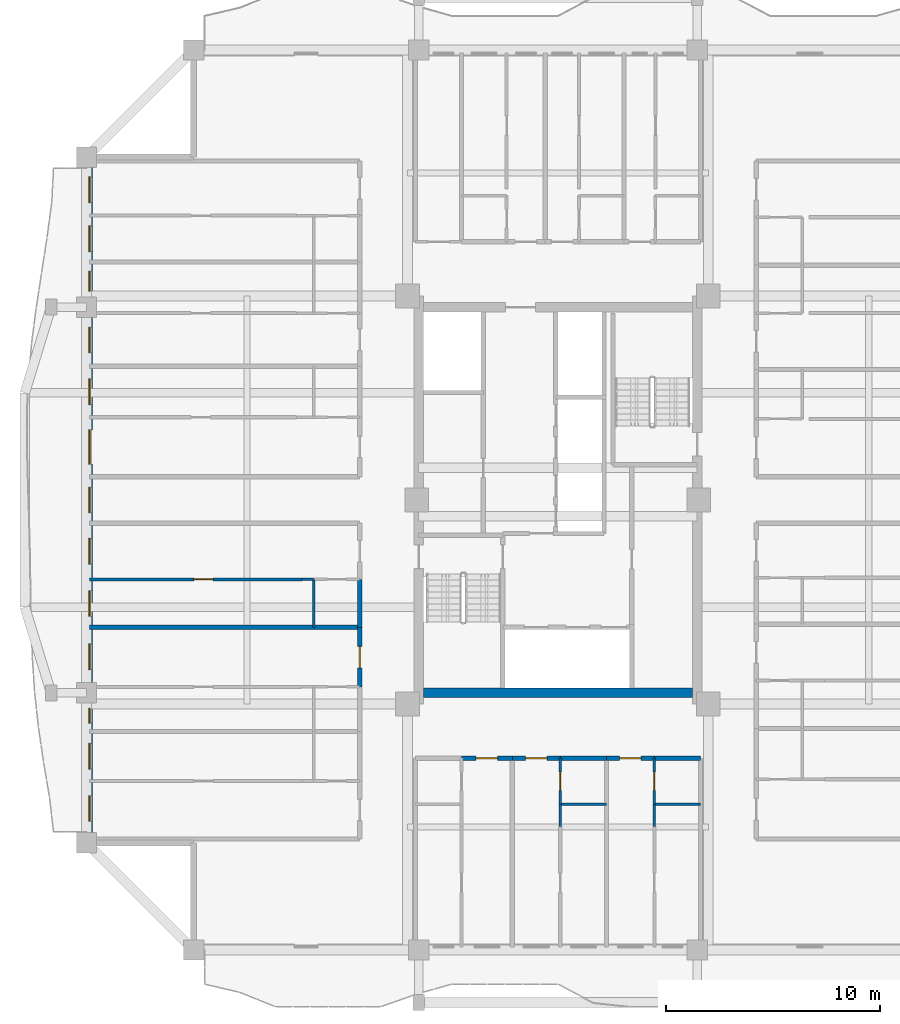
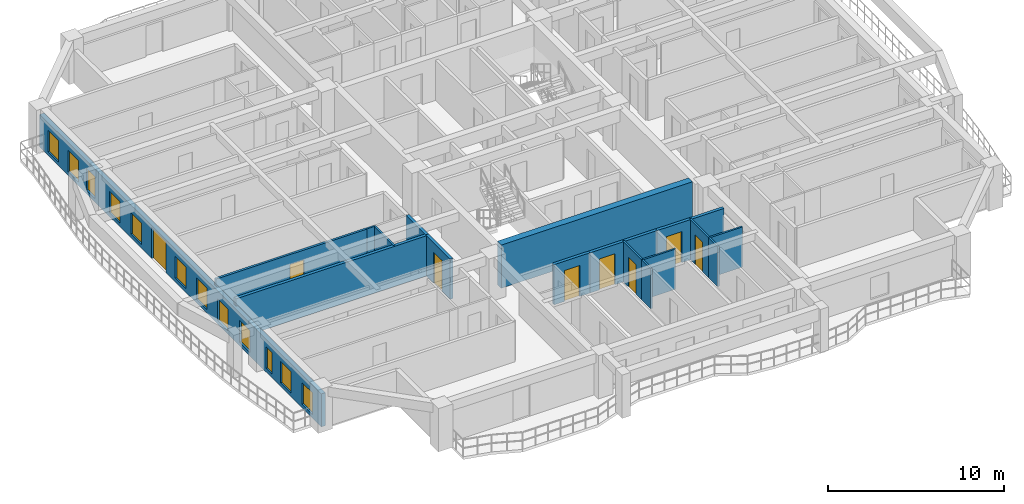
# One storey, part 3 of 15: 19 walls, 12 windows, 8 doors, 20 openings.
"""IFC4 building model written with IfcOpenShell, lengths in metres."""

from ifc_helpers import new_model, si_unit, direction, frame, frame_2d, origin, place, context, subcontext, project, spatial, rectangle, extrude, source, transform, mapped, material, layer, layer_set, type_object, element, fill, save


model = new_model("IFC4")

# Units and contexts
model_context = context("Model", 3, precision=1e-05, world=origin(), true_north=direction((0.0, 1.0)))
body_context = subcontext(model_context, "Body", "Model", "MODEL_VIEW")
ifc_project = project(units=[si_unit("LENGTHUNIT", "METRE"), si_unit("AREAUNIT", "SQUARE_METRE"), si_unit("VOLUMEUNIT", "CUBIC_METRE"), si_unit("PLANEANGLEUNIT", "RADIAN"), si_unit("MASSUNIT", "GRAM", prefix="KILO")], contexts=[model_context])

# Site, building, storey
site_placement = place(None, origin())
site = spatial("IfcSite", under=ifc_project, at=site_placement, CompositionType="ELEMENT")
building_placement = place(site_placement, origin())
building = spatial("IfcBuilding", under=site, at=building_placement, Name="Saelheon Loggia Tower", CompositionType="ELEMENT")
storey_placement = place(building_placement, frame((0.0, 0.0, 163.0)))
storey = spatial("IfcBuildingStorey", under=building, at=storey_placement, Name="L51", CompositionType="ELEMENT", Elevation=163.0)

# Wall
ifc_material_1 = material(Name="Concrete C45/55", Category="concrete")
ifc_layer_1 = layer(ifc_material_1, 0.449951171875)
ifc_layer_set_1 = layer_set([ifc_layer_1], Name="Concrete C45/55")
wall_type_1 = type_object("IfcWallType", Name="Wall_CoreShear_450", PredefinedType="SHEAR", material=ifc_layer_set_1)
wall_1_placement = place(storey_placement, frame((31.72509765625, 18.0, 0.0), z_axis=(0.0, 0.0, 1.0), x_axis=(1.0, 0.0, 0.0)))
element("IfcWall", 1, at=wall_1_placement, inside=storey, type_object=wall_type_1, Name="L51 Core Shear Wall South", PredefinedType="SHEAR", context=body_context, shape_type="SweptSolid", body=[
    extrude(rectangle(XDim=12.5498046875, YDim=0.449951171875, at=frame_2d((6.27490234375, 0.0))), origin(), (0.0, 0.0, 1.0), 3.0),
])

# Wall, openings, windows, door
ifc_material_2 = material(Name="Architectural Precast Concrete C40/50", Category="concrete")
ifc_layer_2 = layer(ifc_material_2, 0.280029296875)
ifc_layer_set_2 = layer_set([ifc_layer_2], Name="Architectural Precast Concrete C40/50")
wall_type_2 = type_object("IfcWallType", Name="Wall_Ext_Loggia_280", PredefinedType="SOLIDWALL", material=ifc_layer_set_2)
wall_2_placement = place(storey_placement, frame((16.139892578125, 11.0, 0.0), z_axis=(0.0, 0.0, 1.0), x_axis=(0.0, 1.0, 0.0)))
wall_2 = element("IfcWall", 2, at=wall_2_placement, inside=storey, type_object=wall_type_2, Name="L51 West Loggia Inner Wall", PredefinedType="SOLIDWALL", context=body_context, shape_type="SweptSolid", body=[
    extrude(rectangle(XDim=32.0, YDim=0.280029296875, at=frame_2d((16.0, 0.0))), origin(), (0.0, 0.0, 1.0), 2.280029296875),
])
opening_1_placement = place(wall_2_placement, frame((1.000732421875, 0.0, 0.25)))
opening_1 = element("IfcOpeningElement", 3, at=opening_1_placement, cuts=wall_2, Name="Opening WN-03", PredefinedType="OPENING", context=body_context, shape_type="SweptSolid", body=[
    extrude(rectangle(XDim=1.199951171875, YDim=1.5, at=frame_2d((0.60009765625, 0.75))), frame((0.0, 0.152099609375, 0.0), z_axis=(0.0, -1.0, 0.0), x_axis=(1.0, 0.0, 0.0)), (0.0, 0.0, 1.0), 0.303955078125),
])
opening_2_placement = place(wall_2_placement, frame((3.43896484375, 0.0, 0.25)))
opening_2 = element("IfcOpeningElement", 4, at=opening_2_placement, cuts=wall_2, Name="Opening WN-03", PredefinedType="OPENING", context=body_context, shape_type="SweptSolid", body=[
    extrude(rectangle(XDim=1.199951171875, YDim=1.5, at=frame_2d((0.60009765625, 0.75))), frame((0.0, 0.152099609375, 0.0), z_axis=(0.0, -1.0, 0.0), x_axis=(1.0, 0.0, 0.0)), (0.0, 0.0, 1.0), 0.303955078125),
])
opening_3_placement = place(wall_2_placement, frame((5.58837890625, 0.0, 0.25)))
opening_3 = element("IfcOpeningElement", 5, at=opening_3_placement, cuts=wall_2, Name="Opening WN-06", PredefinedType="OPENING", context=body_context, shape_type="SweptSolid", body=[
    extrude(rectangle(XDim=0.699951171875, YDim=1.5, at=frame_2d((0.35009765625, 0.75))), frame((0.0, 0.152099609375, 0.0), z_axis=(0.0, -1.0, 0.0), x_axis=(1.0, 0.0, 0.0)), (0.0, 0.0, 1.0), 0.303955078125),
])
opening_4_placement = place(wall_2_placement, frame((8.08544921875, 0.0, 0.25)))
opening_4 = element("IfcOpeningElement", 6, at=opening_4_placement, cuts=wall_2, Name="Opening WN-03", PredefinedType="OPENING", context=body_context, shape_type="SweptSolid", body=[
    extrude(rectangle(XDim=1.199951171875, YDim=1.5, at=frame_2d((0.60009765625, 0.75))), frame((0.0, 0.152099609375, 0.0), z_axis=(0.0, -1.0, 0.0), x_axis=(1.0, 0.0, 0.0)), (0.0, 0.0, 1.0), 0.303955078125),
])
opening_5_placement = place(wall_2_placement, frame((10.57470703125, 0.0, 0.25)))
opening_5 = element("IfcOpeningElement", 7, at=opening_5_placement, cuts=wall_2, Name="Opening WN-03", PredefinedType="OPENING", context=body_context, shape_type="SweptSolid", body=[
    extrude(rectangle(XDim=1.199951171875, YDim=1.5, at=frame_2d((0.60009765625, 0.75))), frame((0.0, 0.152099609375, 0.0), z_axis=(0.0, -1.0, 0.0), x_axis=(1.0, 0.0, 0.0)), (0.0, 0.0, 1.0), 0.303955078125),
])
opening_6_placement = place(wall_2_placement, frame((13.006591796875, 0.0, 0.25)))
opening_6 = element("IfcOpeningElement", 8, at=opening_6_placement, cuts=wall_2, Name="Opening WN-03", PredefinedType="OPENING", context=body_context, shape_type="SweptSolid", body=[
    extrude(rectangle(XDim=1.199951171875, YDim=1.5, at=frame_2d((0.60009765625, 0.75))), frame((0.0, 0.152099609375, 0.0), z_axis=(0.0, -1.0, 0.0), x_axis=(1.0, 0.0, 0.0)), (0.0, 0.0, 1.0), 0.303955078125),
])
opening_7_placement = place(wall_2_placement, frame((15.39990234375, 0.0, 0.25)))
opening_7 = element("IfcOpeningElement", 9, at=opening_7_placement, cuts=wall_2, Name="Opening WN-03", PredefinedType="OPENING", context=body_context, shape_type="SweptSolid", body=[
    extrude(rectangle(XDim=1.199951171875, YDim=1.5, at=frame_2d((0.60009765625, 0.75))), frame((0.0, 0.152099609375, 0.0), z_axis=(0.0, -1.0, 0.0), x_axis=(1.0, 0.0, 0.0)), (0.0, 0.0, 1.0), 0.303955078125),
])
opening_8_placement = place(wall_2_placement, frame((17.6728515625, 0.0, 0.0)))
opening_8 = element("IfcOpeningElement", 10, at=opening_8_placement, cuts=wall_2, Name="Opening DLG-1", PredefinedType="OPENING", context=body_context, shape_type="SweptSolid", body=[
    extrude(rectangle(XDim=1.60009765625, YDim=2.14990234375, at=frame_2d((0.800048828125, 1.074951171875))), frame((0.0, 0.152099609375, 0.0), z_axis=(0.0, -1.0, 0.0), x_axis=(1.0, 0.0, 0.0)), (0.0, 0.0, 1.0), 0.303955078125),
])
opening_9_placement = place(wall_2_placement, frame((20.452392578125, 0.0, 0.25)))
opening_9 = element("IfcOpeningElement", 11, at=opening_9_placement, cuts=wall_2, Name="Opening WN-03", PredefinedType="OPENING", context=body_context, shape_type="SweptSolid", body=[
    extrude(rectangle(XDim=1.199951171875, YDim=1.5, at=frame_2d((0.60009765625, 0.75))), frame((0.0, 0.152099609375, 0.0), z_axis=(0.0, -1.0, 0.0), x_axis=(1.0, 0.0, 0.0)), (0.0, 0.0, 1.0), 0.303955078125),
])
opening_10_placement = place(wall_2_placement, frame((22.862060546875, 0.0, 0.25)))
opening_10 = element("IfcOpeningElement", 12, at=opening_10_placement, cuts=wall_2, Name="Opening WN-03", PredefinedType="OPENING", context=body_context, shape_type="SweptSolid", body=[
    extrude(rectangle(XDim=1.199951171875, YDim=1.5, at=frame_2d((0.60009765625, 0.75))), frame((0.0, 0.152099609375, 0.0), z_axis=(0.0, -1.0, 0.0), x_axis=(1.0, 0.0, 0.0)), (0.0, 0.0, 1.0), 0.303955078125),
])
opening_11_placement = place(wall_2_placement, frame((25.734130859375, 0.0, 0.25)))
opening_11 = element("IfcOpeningElement", 13, at=opening_11_placement, cuts=wall_2, Name="Opening WN-04", PredefinedType="OPENING", context=body_context, shape_type="SweptSolid", body=[
    extrude(rectangle(XDim=0.949951171875, YDim=1.5, at=frame_2d((0.47509765625, 0.75))), frame((0.0, 0.152099609375, 0.0), z_axis=(0.0, -1.0, 0.0), x_axis=(1.0, 0.0, 0.0)), (0.0, 0.0, 1.0), 0.303955078125),
])
opening_12_placement = place(wall_2_placement, frame((27.587890625, 0.0, 0.25)))
opening_12 = element("IfcOpeningElement", 14, at=opening_12_placement, cuts=wall_2, Name="Opening WN-03", PredefinedType="OPENING", context=body_context, shape_type="SweptSolid", body=[
    extrude(rectangle(XDim=1.199951171875, YDim=1.5, at=frame_2d((0.60009765625, 0.75))), frame((0.0, 0.152099609375, 0.0), z_axis=(0.0, -1.0, 0.0), x_axis=(1.0, 0.0, 0.0)), (0.0, 0.0, 1.0), 0.303955078125),
])
opening_13_placement = place(wall_2_placement, frame((29.87890625, 0.0, 0.25)))
opening_13 = element("IfcOpeningElement", 15, at=opening_13_placement, cuts=wall_2, Name="Opening WN-03", PredefinedType="OPENING", context=body_context, shape_type="SweptSolid", body=[
    extrude(rectangle(XDim=1.199951171875, YDim=1.5, at=frame_2d((0.60009765625, 0.75))), frame((0.0, 0.152099609375, 0.0), z_axis=(0.0, -1.0, 0.0), x_axis=(1.0, 0.0, 0.0)), (0.0, 0.0, 1.0), 0.303955078125),
])
ifc_material_3 = material(Name="Thermal-Break Aluminium and Triple Low-E Glass", Category="aluminium")
window_type_1 = type_object("IfcWindowType", Name="Win_Slot_700x1500", PartitioningType="SINGLE_PANEL", PredefinedType="WINDOW", material=ifc_material_3)
shared_shape_1 = source(origin(), body_context, "Body", "SweptSolid", [
    extrude(rectangle(XDim=0.699951171875, YDim=1.5, at=frame_2d((0.35009765625, 0.75))), frame((0.0, 0.030029296875, 0.0), z_axis=(0.0, -1.0, 0.0), x_axis=(1.0, 0.0, 0.0)), (0.0, 0.0, 1.0), 0.06005859375),
])
window_1_placement = place(opening_3_placement, origin())
window_1 = element("IfcWindow", 16, at=window_1_placement, inside=storey, type_object=window_type_1, Name="L51 W Dwelling Window 3", OverallHeight=1.5, OverallWidth=0.699951171875, PartitioningType="SINGLE_PANEL", PredefinedType="WINDOW", context=body_context, shape_type="MappedRepresentation", body=[
    mapped(shared_shape_1, transform((0.0, 0.0, 0.0), scale=1.0)),
])
fill(opening_3, window_1)
window_type_2 = type_object("IfcWindowType", Name="Win_Bedroom_1200x1500", PartitioningType="SINGLE_PANEL", PredefinedType="WINDOW", material=ifc_material_3)
shared_shape_2 = source(origin(), body_context, "Body", "SweptSolid", [
    extrude(rectangle(XDim=1.199951171875, YDim=1.5, at=frame_2d((0.60009765625, 0.75))), frame((0.0, 0.030029296875, 0.0), z_axis=(0.0, -1.0, 0.0), x_axis=(1.0, 0.0, 0.0)), (0.0, 0.0, 1.0), 0.06005859375),
])
window_2_placement = place(opening_1_placement, origin())
window_2 = element("IfcWindow", 17, at=window_2_placement, inside=storey, type_object=window_type_2, Name="L51 W Dwelling Window 1", OverallHeight=1.5, OverallWidth=1.199951171875, PartitioningType="SINGLE_PANEL", PredefinedType="WINDOW", context=body_context, shape_type="MappedRepresentation", body=[
    mapped(shared_shape_2, transform((0.0, 0.0, 0.0), scale=1.0)),
])
fill(opening_1, window_2)
window_3_placement = place(opening_2_placement, origin())
window_3 = element("IfcWindow", 18, at=window_3_placement, inside=storey, type_object=window_type_2, Name="L51 W Dwelling Window 2", OverallHeight=1.5, OverallWidth=1.199951171875, PartitioningType="SINGLE_PANEL", PredefinedType="WINDOW", context=body_context, shape_type="MappedRepresentation", body=[
    mapped(shared_shape_2, transform((0.0, 0.0, 0.0), scale=1.0)),
])
fill(opening_2, window_3)
window_4_placement = place(opening_4_placement, origin())
window_4 = element("IfcWindow", 19, at=window_4_placement, inside=storey, type_object=window_type_2, Name="L51 W Dwelling Window 4", OverallHeight=1.5, OverallWidth=1.199951171875, PartitioningType="SINGLE_PANEL", PredefinedType="WINDOW", context=body_context, shape_type="MappedRepresentation", body=[
    mapped(shared_shape_2, transform((0.0, 0.0, 0.0), scale=1.0)),
])
fill(opening_4, window_4)
window_5_placement = place(opening_5_placement, origin())
window_5 = element("IfcWindow", 20, at=window_5_placement, inside=storey, type_object=window_type_2, Name="L51 W Dwelling Window 5", OverallHeight=1.5, OverallWidth=1.199951171875, PartitioningType="SINGLE_PANEL", PredefinedType="WINDOW", context=body_context, shape_type="MappedRepresentation", body=[
    mapped(shared_shape_2, transform((0.0, 0.0, 0.0), scale=1.0)),
])
fill(opening_5, window_5)
window_6_placement = place(opening_6_placement, origin())
window_6 = element("IfcWindow", 21, at=window_6_placement, inside=storey, type_object=window_type_2, Name="L51 W Dwelling Window 6", OverallHeight=1.5, OverallWidth=1.199951171875, PartitioningType="SINGLE_PANEL", PredefinedType="WINDOW", context=body_context, shape_type="MappedRepresentation", body=[
    mapped(shared_shape_2, transform((0.0, 0.0, 0.0), scale=1.0)),
])
fill(opening_6, window_6)
window_7_placement = place(opening_7_placement, origin())
window_7 = element("IfcWindow", 22, at=window_7_placement, inside=storey, type_object=window_type_2, Name="L51 W Dwelling Window 7", OverallHeight=1.5, OverallWidth=1.199951171875, PartitioningType="SINGLE_PANEL", PredefinedType="WINDOW", context=body_context, shape_type="MappedRepresentation", body=[
    mapped(shared_shape_2, transform((0.0, 0.0, 0.0), scale=1.0)),
])
fill(opening_7, window_7)
window_8_placement = place(opening_9_placement, origin())
window_8 = element("IfcWindow", 23, at=window_8_placement, inside=storey, type_object=window_type_2, Name="L51 W Dwelling Window 9", OverallHeight=1.5, OverallWidth=1.199951171875, PartitioningType="SINGLE_PANEL", PredefinedType="WINDOW", context=body_context, shape_type="MappedRepresentation", body=[
    mapped(shared_shape_2, transform((0.0, 0.0, 0.0), scale=1.0)),
])
fill(opening_9, window_8)
window_9_placement = place(opening_10_placement, origin())
window_9 = element("IfcWindow", 24, at=window_9_placement, inside=storey, type_object=window_type_2, Name="L51 W Dwelling Window 10", OverallHeight=1.5, OverallWidth=1.199951171875, PartitioningType="SINGLE_PANEL", PredefinedType="WINDOW", context=body_context, shape_type="MappedRepresentation", body=[
    mapped(shared_shape_2, transform((0.0, 0.0, 0.0), scale=1.0)),
])
fill(opening_10, window_9)
window_10_placement = place(opening_12_placement, origin())
window_10 = element("IfcWindow", 25, at=window_10_placement, inside=storey, type_object=window_type_2, Name="L51 W Dwelling Window 12", OverallHeight=1.5, OverallWidth=1.199951171875, PartitioningType="SINGLE_PANEL", PredefinedType="WINDOW", context=body_context, shape_type="MappedRepresentation", body=[
    mapped(shared_shape_2, transform((0.0, 0.0, 0.0), scale=1.0)),
])
fill(opening_12, window_10)
window_11_placement = place(opening_13_placement, origin())
window_11 = element("IfcWindow", 26, at=window_11_placement, inside=storey, type_object=window_type_2, Name="L51 W Dwelling Window 13", OverallHeight=1.5, OverallWidth=1.199951171875, PartitioningType="SINGLE_PANEL", PredefinedType="WINDOW", context=body_context, shape_type="MappedRepresentation", body=[
    mapped(shared_shape_2, transform((0.0, 0.0, 0.0), scale=1.0)),
])
fill(opening_13, window_11)
window_type_3 = type_object("IfcWindowType", Name="Win_Narrow_950x1500", PartitioningType="SINGLE_PANEL", PredefinedType="WINDOW", material=ifc_material_3)
shared_shape_3 = source(origin(), body_context, "Body", "SweptSolid", [
    extrude(rectangle(XDim=0.949951171875, YDim=1.5, at=frame_2d((0.47509765625, 0.75))), frame((0.0, 0.030029296875, 0.0), z_axis=(0.0, -1.0, 0.0), x_axis=(1.0, 0.0, 0.0)), (0.0, 0.0, 1.0), 0.06005859375),
])
window_12_placement = place(opening_11_placement, origin())
window_12 = element("IfcWindow", 27, at=window_12_placement, inside=storey, type_object=window_type_3, Name="L51 W Dwelling Window 11", OverallHeight=1.5, OverallWidth=0.949951171875, PartitioningType="SINGLE_PANEL", PredefinedType="WINDOW", context=body_context, shape_type="MappedRepresentation", body=[
    mapped(shared_shape_3, transform((0.0, 0.0, 0.0), scale=1.0)),
])
fill(opening_11, window_12)
ifc_material_4 = material(Name="Thermal-Break Aluminium Sliding Glazed Door", Category="aluminium")
door_type_1 = type_object("IfcDoorType", Name="Door_LoggiaSlide_1600", OperationType="SLIDING_TO_LEFT", PredefinedType="DOOR", material=ifc_material_4)
shared_shape_4 = source(origin(), body_context, "Body", "SweptSolid", [
    extrude(rectangle(XDim=1.60009765625, YDim=2.14990234375, at=frame_2d((0.800048828125, 1.074951171875))), frame((0.0, 0.02490234375, 0.0), z_axis=(0.0, -1.0, 0.0), x_axis=(1.0, 0.0, 0.0)), (0.0, 0.0, 1.0), 0.050048828125),
])
door_1_placement = place(opening_8_placement, origin())
door_1 = element("IfcDoor", 28, at=door_1_placement, inside=storey, type_object=door_type_1, Name="L51 W Loggia Access Door", OperationType="SLIDING_TO_LEFT", OverallHeight=2.14990234375, OverallWidth=1.60009765625, PredefinedType="DOOR", context=body_context, shape_type="MappedRepresentation", body=[
    mapped(shared_shape_4, transform((0.0, 0.0, 0.0), scale=1.0)),
])
fill(opening_8, door_1)

# Wall, opening, door
ifc_material_5 = material(Name="Lightweight Autoclaved Aerated Concrete Block and Acoustic Gypsum", Category="concrete")
ifc_layer_3 = layer(ifc_material_5, 0.14990234375)
ifc_layer_set_3 = layer_set([ifc_layer_3], Name="Lightweight Autoclaved Aerated Concrete Block and Acoustic Gypsum")
wall_type_3 = type_object("IfcWallType", Name="Wall_Part_150", PredefinedType="PARTITIONING", material=ifc_layer_set_3)
wall_3_placement = place(storey_placement, frame((26.050048828125, 23.293212890625, 0.0), z_axis=(0.0, 0.0, 1.0), x_axis=(-1.0, 0.0, 0.0)))
wall_3 = element("IfcWall", 29, at=wall_3_placement, inside=storey, type_object=wall_type_3, Name="L51 WS Partition U22", PredefinedType="PARTITIONING", context=body_context, shape_type="SweptSolid", body=[
    extrude(rectangle(XDim=9.900146484375, YDim=0.14990234375, at=frame_2d((4.9501953125, 0.0))), origin(), (0.0, 0.0, 1.0), 2.7900390625),
])
opening_14_placement = place(wall_3_placement, frame((4.14501953125, 0.0, 0.0)))
opening_14 = element("IfcOpeningElement", 30, at=opening_14_placement, cuts=wall_3, Name="Opening D-IN2", PredefinedType="OPENING", context=body_context, shape_type="SweptSolid", body=[
    extrude(rectangle(XDim=0.89990234375, YDim=2.10009765625, at=frame_2d((0.449951171875, 1.050048828125))), frame((0.0, 0.0869140625, 0.0), z_axis=(0.0, -1.0, 0.0), x_axis=(1.0, 0.0, 0.0)), (0.0, 0.0, 1.0), 0.173828125),
])
ifc_material_6 = material(Name="Engineered Oak Flush Door", Category="timber")
door_type_2 = type_object("IfcDoorType", Name="Door_Int_900", OperationType="NOTDEFINED", PredefinedType="DOOR", material=ifc_material_6)
shared_shape_5 = source(origin(), body_context, "Body", "SweptSolid", [
    extrude(rectangle(XDim=0.89990234375, YDim=2.10009765625, at=frame_2d((0.449951171875, 1.050048828125))), frame((0.0, 0.02490234375, 0.0), z_axis=(0.0, -1.0, 0.0), x_axis=(1.0, 0.0, 0.0)), (0.0, 0.0, 1.0), 0.050048828125),
])
door_2_placement = place(opening_14_placement, origin())
door_2 = element("IfcDoor", 31, at=door_2_placement, inside=storey, type_object=door_type_2, Name="Unit U09 Kitchen Door", OperationType="SINGLE_SWING_LEFT", OverallHeight=2.10009765625, OverallWidth=0.89990234375, PredefinedType="DOOR", context=body_context, shape_type="MappedRepresentation", body=[
    mapped(shared_shape_5, transform((0.0, 0.0, 0.0), scale=1.0)),
])
fill(opening_14, door_2)

ifc_material_7 = material(Name="Double Acoustic Stud and Fireboard Partition", Category="gypsum")
ifc_layer_4 = layer(ifc_material_7, 0.199951171875)
ifc_layer_set_4 = layer_set([ifc_layer_4], Name="Double Acoustic Stud and Fireboard Partition")
wall_type_4 = type_object("IfcWallType", Name="Wall_Party_200", PredefinedType="PARTITIONING", material=ifc_layer_set_4)
wall_4_placement = place(storey_placement, frame((33.5, 14.949951171875, 0.0), z_axis=(0.0, 0.0, 1.0), x_axis=(1.0, 0.0, 0.0)))
wall_4 = element("IfcWall", 32, at=wall_4_placement, inside=storey, type_object=wall_type_4, Name="L51 S Partition V04", PredefinedType="PARTITIONING", context=body_context, shape_type="SweptSolid", body=[
    extrude(rectangle(XDim=2.3720703125, YDim=0.199951171875, at=frame_2d((1.18603515625, 0.0))), origin(), (0.0, 0.0, 1.0), 2.7900390625),
])
opening_15_placement = place(wall_4_placement, frame((0.68603515625, 0.0, 0.0)))
opening_15 = element("IfcOpeningElement", 33, at=opening_15_placement, cuts=wall_4, Name="Opening D-FD1", PredefinedType="OPENING", context=body_context, shape_type="SweptSolid", body=[
    extrude(rectangle(XDim=1.0, YDim=2.14990234375, at=frame_2d((0.5, 1.074951171875))), frame((0.0, 0.112060546875, 0.0), z_axis=(0.0, -1.0, 0.0), x_axis=(1.0, 0.0, 0.0)), (0.0, 0.0, 1.0), 0.223876953125),
])
ifc_material_8 = material(Name="Fire-Rated Engineered Timber Entrance Door", Category="wood")
door_type_3 = type_object("IfcDoorType", Name="Door_Flat_FD30S", OperationType="NOTDEFINED", PredefinedType="DOOR", material=ifc_material_8)
shared_shape_6 = source(origin(), body_context, "Body", "SweptSolid", [
    extrude(rectangle(XDim=1.0, YDim=2.14990234375, at=frame_2d((0.5, 1.074951171875))), frame((0.0, 0.02490234375, 0.0), z_axis=(0.0, -1.0, 0.0), x_axis=(1.0, 0.0, 0.0)), (0.0, 0.0, 1.0), 0.050048828125),
])
door_3_placement = place(opening_15_placement, origin())
door_3 = element("IfcDoor", 34, at=door_3_placement, inside=storey, type_object=door_type_3, Name="Unit U01 Entrance Door", OperationType="SINGLE_SWING_RIGHT", OverallHeight=2.14990234375, OverallWidth=1.0, PredefinedType="DOOR", context=body_context, shape_type="MappedRepresentation", body=[
    mapped(shared_shape_6, transform((0.0, 0.0, 0.0), scale=1.0)),
])
fill(opening_15, door_3)

wall_5_placement = place(storey_placement, frame((35.8720703125, 14.949951171875, 0.0), z_axis=(0.0, 0.0, 1.0), x_axis=(1.0, 0.0, 0.0)))
wall_5 = element("IfcWall", 35, at=wall_5_placement, inside=storey, type_object=wall_type_4, Name="L51 S Partition V10", PredefinedType="PARTITIONING", context=body_context, shape_type="SweptSolid", body=[
    extrude(rectangle(XDim=2.239013671875, YDim=0.199951171875, at=frame_2d((1.11962890625, 0.0))), origin(), (0.0, 0.0, 1.0), 2.7900390625),
])
opening_16_placement = place(wall_5_placement, frame((0.619384765625, 0.0, 0.0)))
opening_16 = element("IfcOpeningElement", 36, at=opening_16_placement, cuts=wall_5, Name="Opening D-FD1", PredefinedType="OPENING", context=body_context, shape_type="SweptSolid", body=[
    extrude(rectangle(XDim=1.0, YDim=2.14990234375, at=frame_2d((0.5, 1.074951171875))), frame((0.0, 0.112060546875, 0.0), z_axis=(0.0, -1.0, 0.0), x_axis=(1.0, 0.0, 0.0)), (0.0, 0.0, 1.0), 0.223876953125),
])
door_4_placement = place(opening_16_placement, origin())
door_4 = element("IfcDoor", 37, at=door_4_placement, inside=storey, type_object=door_type_3, Name="Unit U02 Entrance Door", OperationType="SINGLE_SWING_LEFT", OverallHeight=2.14990234375, OverallWidth=1.0, PredefinedType="DOOR", context=body_context, shape_type="MappedRepresentation", body=[
    mapped(shared_shape_6, transform((0.0, 0.0, 0.0), scale=1.0)),
])
fill(opening_16, door_4)

# Wall
wall_6_placement = place(storey_placement, frame((38.111083984375, 14.949951171875, 0.0), z_axis=(0.0, 0.0, 1.0), x_axis=(1.0, 0.0, 0.0)))
element("IfcWall", 38, at=wall_6_placement, inside=storey, type_object=wall_type_4, Name="L51 S Partition V11", PredefinedType="PARTITIONING", context=body_context, shape_type="SweptSolid", body=[
    extrude(rectangle(XDim=2.14990234375, YDim=0.199951171875, at=frame_2d((1.074951171875, 0.0))), origin(), (0.0, 0.0, 1.0), 2.7900390625),
])

# Wall, opening, door
wall_7_placement = place(storey_placement, frame((40.260986328125, 14.949951171875, 0.0), z_axis=(0.0, 0.0, 1.0), x_axis=(1.0, 0.0, 0.0)))
wall_7 = element("IfcWall", 39, at=wall_7_placement, inside=storey, type_object=wall_type_4, Name="L51 S Partition V17", PredefinedType="PARTITIONING", context=body_context, shape_type="SweptSolid", body=[
    extrude(rectangle(XDim=2.239013671875, YDim=0.199951171875, at=frame_2d((1.11962890625, 0.0))), origin(), (0.0, 0.0, 1.0), 2.7900390625),
])
opening_17_placement = place(wall_7_placement, frame((0.619384765625, 0.0, 0.0)))
opening_17 = element("IfcOpeningElement", 40, at=opening_17_placement, cuts=wall_7, Name="Opening D-FD1", PredefinedType="OPENING", context=body_context, shape_type="SweptSolid", body=[
    extrude(rectangle(XDim=1.0, YDim=2.14990234375, at=frame_2d((0.5, 1.074951171875))), frame((0.0, 0.112060546875, 0.0), z_axis=(0.0, -1.0, 0.0), x_axis=(1.0, 0.0, 0.0)), (0.0, 0.0, 1.0), 0.223876953125),
])
door_5_placement = place(opening_17_placement, origin())
door_5 = element("IfcDoor", 41, at=door_5_placement, inside=storey, type_object=door_type_3, Name="Unit U03 Entrance Door", OperationType="SINGLE_SWING_RIGHT", OverallHeight=2.14990234375, OverallWidth=1.0, PredefinedType="DOOR", context=body_context, shape_type="MappedRepresentation", body=[
    mapped(shared_shape_6, transform((0.0, 0.0, 0.0), scale=1.0)),
])
fill(opening_17, door_5)

# Wall
wall_8_placement = place(storey_placement, frame((42.5, 14.949951171875, 0.0), z_axis=(0.0, 0.0, 1.0), x_axis=(1.0, 0.0, 0.0)))
element("IfcWall", 42, at=wall_8_placement, inside=storey, type_object=wall_type_4, Name="L51 S Partition V18", PredefinedType="PARTITIONING", context=body_context, shape_type="SweptSolid", body=[
    extrude(rectangle(XDim=2.14990234375, YDim=0.199951171875, at=frame_2d((1.074951171875, 0.0))), origin(), (0.0, 0.0, 1.0), 2.7900390625),
])

# Wall, opening, door
wall_9_placement = place(storey_placement, frame((28.75, 18.280029296875, 0.0), z_axis=(0.0, 0.0, 1.0), x_axis=(0.0, 1.0, 0.0)))
wall_9 = element("IfcWall", 43, at=wall_9_placement, inside=storey, type_object=wall_type_4, Name="L51 WS Partition V11", PredefinedType="PARTITIONING", context=body_context, shape_type="SweptSolid", body=[
    extrude(rectangle(XDim=2.77587890625, YDim=0.199951171875, at=frame_2d((1.387939453125, 0.0))), origin(), (0.0, 0.0, 1.0), 2.7900390625),
])
opening_18_placement = place(wall_9_placement, frame((0.887939453125, 0.0, 0.0)))
opening_18 = element("IfcOpeningElement", 44, at=opening_18_placement, cuts=wall_9, Name="Opening D-FD1", PredefinedType="OPENING", context=body_context, shape_type="SweptSolid", body=[
    extrude(rectangle(XDim=1.0, YDim=2.14990234375, at=frame_2d((0.5, 1.074951171875))), frame((0.0, 0.112060546875, 0.0), z_axis=(0.0, -1.0, 0.0), x_axis=(1.0, 0.0, 0.0)), (0.0, 0.0, 1.0), 0.223876953125),
])
door_6_placement = place(opening_18_placement, origin())
door_6 = element("IfcDoor", 45, at=door_6_placement, inside=storey, type_object=door_type_3, Name="Unit U08 Entrance Door", OperationType="SINGLE_SWING_RIGHT", OverallHeight=2.14990234375, OverallWidth=1.0, PredefinedType="DOOR", context=body_context, shape_type="MappedRepresentation", body=[
    mapped(shared_shape_6, transform((0.0, 0.0, 0.0), scale=1.0)),
])
fill(opening_18, door_6)

# Walls
wall_10_placement = place(storey_placement, frame((28.75, 21.055908203125, 0.0), z_axis=(0.0, 0.0, 1.0), x_axis=(-1.0, 0.0, 0.0)))
element("IfcWall", 46, at=wall_10_placement, inside=storey, type_object=wall_type_4, Name="L51 WS Partition U16", PredefinedType="PARTITIONING", context=body_context, shape_type="SweptSolid", body=[
    extrude(rectangle(XDim=12.60009765625, YDim=0.199951171875, at=frame_2d((6.300048828125, 0.0))), origin(), (0.0, 0.0, 1.0), 2.7900390625),
])
wall_11_placement = place(storey_placement, frame((28.75, 21.055908203125, 0.0), z_axis=(0.0, 0.0, 1.0), x_axis=(0.0, 1.0, 0.0)))
element("IfcWall", 47, at=wall_11_placement, inside=storey, type_object=wall_type_4, Name="L51 WS Partition V17", PredefinedType="PARTITIONING", context=body_context, shape_type="SweptSolid", body=[
    extrude(rectangle(XDim=2.2373046875, YDim=0.199951171875, at=frame_2d((1.11865234375, 0.0))), origin(), (0.0, 0.0, 1.0), 2.7900390625),
])

# Wall, opening, door
ifc_material_9 = material(Name="Moisture-Resistant Cement Board Partition", Category="gypsum")
ifc_layer_5 = layer(ifc_material_9, 0.1201171875)
ifc_layer_set_5 = layer_set([ifc_layer_5], Name="Moisture-Resistant Cement Board Partition")
wall_type_5 = type_object("IfcWallType", Name="Wall_WetPart_120", PredefinedType="PARTITIONING", material=ifc_layer_set_5)
wall_12_placement = place(storey_placement, frame((38.111083984375, 14.949951171875, 0.0), z_axis=(0.0, 0.0, 1.0), x_axis=(0.0, -1.0, 0.0)))
wall_12 = element("IfcWall", 48, at=wall_12_placement, inside=storey, type_object=wall_type_5, Name="L51 S Partition U12", PredefinedType="PARTITIONING", context=body_context, shape_type="SweptSolid", body=[
    extrude(rectangle(XDim=2.14990234375, YDim=0.1201171875, at=frame_2d((1.074951171875, 0.0))), origin(), (0.0, 0.0, 1.0), 2.7900390625),
])
opening_19_placement = place(wall_12_placement, frame((0.64990234375, 0.0, 0.0)))
opening_19 = element("IfcOpeningElement", 49, at=opening_19_placement, cuts=wall_12, Name="Opening D-BT1", PredefinedType="OPENING", context=body_context, shape_type="SweptSolid", body=[
    extrude(rectangle(XDim=0.85009765625, YDim=2.050048828125, at=frame_2d((0.425048828125, 1.02490234375))), frame((0.0, 0.072021484375, 0.0), z_axis=(0.0, -1.0, 0.0), x_axis=(1.0, 0.0, 0.0)), (0.0, 0.0, 1.0), 0.14404296875),
])
ifc_material_10 = material(Name="Moisture-Resistant Laminate Timber Door", Category="wood")
door_type_4 = type_object("IfcDoorType", Name="Door_Bath_850", OperationType="NOTDEFINED", PredefinedType="DOOR", material=ifc_material_10)
shared_shape_7 = source(origin(), body_context, "Body", "SweptSolid", [
    extrude(rectangle(XDim=0.85009765625, YDim=2.050048828125, at=frame_2d((0.425048828125, 1.02490234375))), frame((0.0, 0.02490234375, 0.0), z_axis=(0.0, -1.0, 0.0), x_axis=(1.0, 0.0, 0.0)), (0.0, 0.0, 1.0), 0.050048828125),
])
door_7_placement = place(opening_19_placement, origin())
door_7 = element("IfcDoor", 50, at=door_7_placement, inside=storey, type_object=door_type_4, Name="Unit U02 Bathroom Door", OperationType="SINGLE_SWING_RIGHT", OverallHeight=2.050048828125, OverallWidth=0.85009765625, PredefinedType="DOOR", context=body_context, shape_type="MappedRepresentation", body=[
    mapped(shared_shape_7, transform((0.0, 0.0, 0.0), scale=1.0)),
])
fill(opening_19, door_7)

# Walls
wall_13_placement = place(storey_placement, frame((38.111083984375, 12.800048828125, 0.0), z_axis=(0.0, 0.0, 1.0), x_axis=(0.0, -1.0, 0.0)))
element("IfcWall", 51, at=wall_13_placement, inside=storey, type_object=wall_type_5, Name="L51 S Partition U13", PredefinedType="PARTITIONING", context=body_context, shape_type="SweptSolid", body=[
    extrude(rectangle(XDim=1.030029296875, YDim=0.1201171875, at=frame_2d((0.51513671875, 0.0))), origin(), (0.0, 0.0, 1.0), 2.7900390625),
])
wall_14_placement = place(storey_placement, frame((38.111083984375, 12.800048828125, 0.0), z_axis=(0.0, 0.0, 1.0), x_axis=(1.0, 0.0, 0.0)))
element("IfcWall", 52, at=wall_14_placement, inside=storey, type_object=wall_type_5, Name="L51 S Partition V14", PredefinedType="PARTITIONING", context=body_context, shape_type="SweptSolid", body=[
    extrude(rectangle(XDim=2.14990234375, YDim=0.1201171875, at=frame_2d((1.074951171875, 0.0))), origin(), (0.0, 0.0, 1.0), 2.7900390625),
])

# Wall, opening, door
wall_15_placement = place(storey_placement, frame((42.5, 14.949951171875, 0.0), z_axis=(0.0, 0.0, 1.0), x_axis=(0.0, -1.0, 0.0)))
wall_15 = element("IfcWall", 53, at=wall_15_placement, inside=storey, type_object=wall_type_5, Name="L51 S Partition U19", PredefinedType="PARTITIONING", context=body_context, shape_type="SweptSolid", body=[
    extrude(rectangle(XDim=2.14990234375, YDim=0.1201171875, at=frame_2d((1.074951171875, 0.0))), origin(), (0.0, 0.0, 1.0), 2.7900390625),
])
opening_20_placement = place(wall_15_placement, frame((0.64990234375, 0.0, 0.0)))
opening_20 = element("IfcOpeningElement", 54, at=opening_20_placement, cuts=wall_15, Name="Opening D-BT1", PredefinedType="OPENING", context=body_context, shape_type="SweptSolid", body=[
    extrude(rectangle(XDim=0.85009765625, YDim=2.050048828125, at=frame_2d((0.425048828125, 1.02490234375))), frame((0.0, 0.072021484375, 0.0), z_axis=(0.0, -1.0, 0.0), x_axis=(1.0, 0.0, 0.0)), (0.0, 0.0, 1.0), 0.14404296875),
])
door_8_placement = place(opening_20_placement, origin())
door_8 = element("IfcDoor", 55, at=door_8_placement, inside=storey, type_object=door_type_4, Name="Unit U03 Bathroom Door", OperationType="SINGLE_SWING_LEFT", OverallHeight=2.050048828125, OverallWidth=0.85009765625, PredefinedType="DOOR", context=body_context, shape_type="MappedRepresentation", body=[
    mapped(shared_shape_7, transform((0.0, 0.0, 0.0), scale=1.0)),
])
fill(opening_20, door_8)

# Walls
wall_16_placement = place(storey_placement, frame((42.5, 12.800048828125, 0.0), z_axis=(0.0, 0.0, 1.0), x_axis=(0.0, -1.0, 0.0)))
element("IfcWall", 56, at=wall_16_placement, inside=storey, type_object=wall_type_5, Name="L51 S Partition U20", PredefinedType="PARTITIONING", context=body_context, shape_type="SweptSolid", body=[
    extrude(rectangle(XDim=1.030029296875, YDim=0.1201171875, at=frame_2d((0.51513671875, 0.0))), origin(), (0.0, 0.0, 1.0), 2.7900390625),
])
wall_17_placement = place(storey_placement, frame((42.5, 12.800048828125, 0.0), z_axis=(0.0, 0.0, 1.0), x_axis=(1.0, 0.0, 0.0)))
element("IfcWall", 57, at=wall_17_placement, inside=storey, type_object=wall_type_5, Name="L51 S Partition V21", PredefinedType="PARTITIONING", context=body_context, shape_type="SweptSolid", body=[
    extrude(rectangle(XDim=2.14990234375, YDim=0.1201171875, at=frame_2d((1.074951171875, 0.0))), origin(), (0.0, 0.0, 1.0), 2.7900390625),
])
wall_18_placement = place(storey_placement, frame((26.60009765625, 23.293212890625, 0.0), z_axis=(0.0, 0.0, 1.0), x_axis=(-1.0, 0.0, 0.0)))
element("IfcWall", 58, at=wall_18_placement, inside=storey, type_object=wall_type_5, Name="L51 WS Partition U20", PredefinedType="PARTITIONING", context=body_context, shape_type="SweptSolid", body=[
    extrude(rectangle(XDim=0.550048828125, YDim=0.1201171875, at=frame_2d((0.27490234375, 0.0))), origin(), (0.0, 0.0, 1.0), 2.7900390625),
])
wall_19_placement = place(storey_placement, frame((26.60009765625, 21.055908203125, 0.0), z_axis=(0.0, 0.0, 1.0), x_axis=(0.0, 1.0, 0.0)))
element("IfcWall", 59, at=wall_19_placement, inside=storey, type_object=wall_type_5, Name="L51 WS Partition V21", PredefinedType="PARTITIONING", context=body_context, shape_type="SweptSolid", body=[
    extrude(rectangle(XDim=2.2373046875, YDim=0.1201171875, at=frame_2d((1.11865234375, 0.0))), origin(), (0.0, 0.0, 1.0), 2.7900390625),
])

save(model, "model.ifc")
